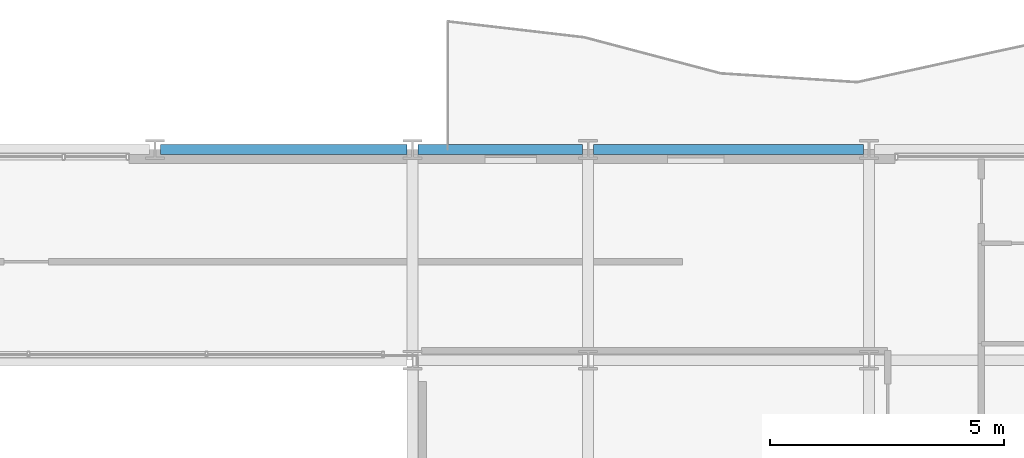
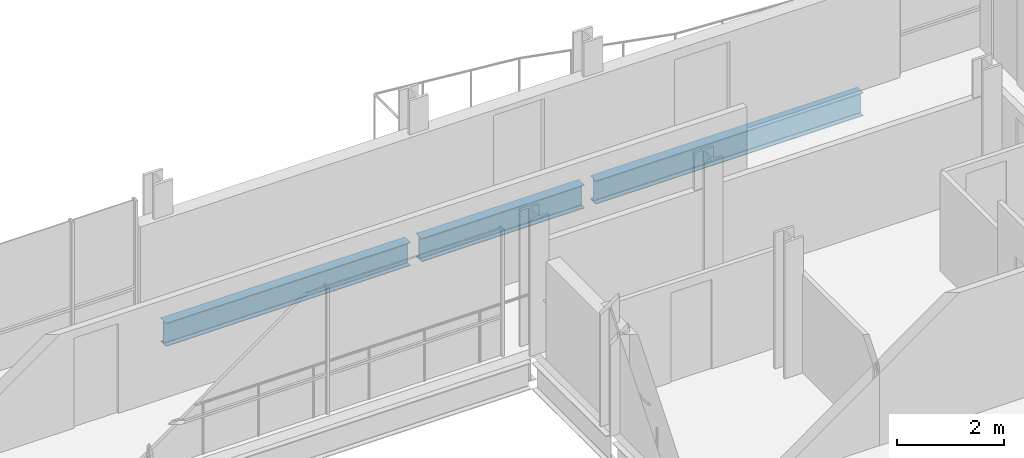
# One storey, part 23 of 40: 3 beams.
"""IFC4 building model written with IfcOpenShell, lengths in metres."""

from ifc_helpers import new_model, si_unit, direction, frame, origin, origin_2d, place, context, subcontext, project, spatial, i_section, extrude, material, material_profile, profile_set, type_object, element, save


model = new_model("IFC4")

# Units and contexts
model_context = context("Model", 3, precision=1e-05, world=origin(), true_north=direction((0.0, 1.0)))
body_context = subcontext(model_context, "Body", "Model", "MODEL_VIEW")
ifc_project = project(units=[si_unit("LENGTHUNIT", "METRE"), si_unit("AREAUNIT", "SQUARE_METRE"), si_unit("VOLUMEUNIT", "CUBIC_METRE"), si_unit("PLANEANGLEUNIT", "RADIAN"), si_unit("MASSUNIT", "GRAM", prefix="KILO")], contexts=[model_context])

# Site, building, storey
site_placement = place(None, origin())
site = spatial("IfcSite", under=ifc_project, at=site_placement, CompositionType="ELEMENT")
building_placement = place(site_placement, origin())
building = spatial("IfcBuilding", under=site, at=building_placement, Name="Brevholm Reach", CompositionType="ELEMENT")
storey_placement = place(building_placement, frame((0.0, 0.0, 125.199951171875)))
storey = spatial("IfcBuildingStorey", under=building, at=storey_placement, Name="L37", CompositionType="ELEMENT", Elevation=125.199951171875)

# Beams
ifc_material = material(Name="Structural Steel S355J2", Category="steel")
ifc_material_profile = material_profile(ifc_material, i_section(OverallWidth=0.209228515625, OverallDepth=0.533203125, WebThickness=0.010009765625, FlangeThickness=0.015625, FilletRadius=0.0126953125, at=origin_2d()), Name="UKB 533x210x92")
ifc_profile_set = profile_set([ifc_material_profile], Name="Structural Steel S355J2")
beam_type = type_object("IfcBeamType", Name="BM-SP533", PredefinedType="SPANDREL", material=ifc_profile_set)
beam_1_placement = place(storey_placement, frame((32.8701171875, 31.0, -0.486572265625), z_axis=(1.0, 0.0, 0.0), x_axis=(0.0, 1.0, 0.0)))
element("IfcBeam", 1, at=beam_1_placement, inside=storey, type_object=beam_type, Name="L37 SP-02 Framing Beam", PredefinedType="SPANDREL", context=body_context, shape_type="SweptSolid", body=[
    extrude(i_section(OverallWidth=0.209228515625, OverallDepth=0.533203125, WebThickness=0.010009765625, FlangeThickness=0.015625, FilletRadius=0.0126953125, at=origin_2d()), origin(), (0.0, 0.0, 1.0), 5.259765625),
])
beam_2_placement = place(storey_placement, frame((38.3701171875, 31.0, -0.486572265625), z_axis=(1.0, 0.0, 0.0), x_axis=(0.0, 1.0, 0.0)))
element("IfcBeam", 2, at=beam_2_placement, inside=storey, type_object=beam_type, Name="L37 SP-02 Framing Beam", PredefinedType="SPANDREL", context=body_context, shape_type="SweptSolid", body=[
    extrude(i_section(OverallWidth=0.209228515625, OverallDepth=0.533203125, WebThickness=0.010009765625, FlangeThickness=0.015625, FilletRadius=0.0126953125, at=origin_2d()), origin(), (0.0, 0.0, 1.0), 3.509765625),
])
beam_3_placement = place(storey_placement, frame((42.1201171875, 31.0, -0.486572265625), z_axis=(1.0, 0.0, 0.0), x_axis=(0.0, 1.0, 0.0)))
element("IfcBeam", 3, at=beam_3_placement, inside=storey, type_object=beam_type, Name="L37 SP-02 Framing Beam", PredefinedType="SPANDREL", context=body_context, shape_type="SweptSolid", body=[
    extrude(i_section(OverallWidth=0.209228515625, OverallDepth=0.533203125, WebThickness=0.010009765625, FlangeThickness=0.015625, FilletRadius=0.0126953125, at=origin_2d()), origin(), (0.0, 0.0, 1.0), 5.759765625),
])

save(model, "model.ifc")
